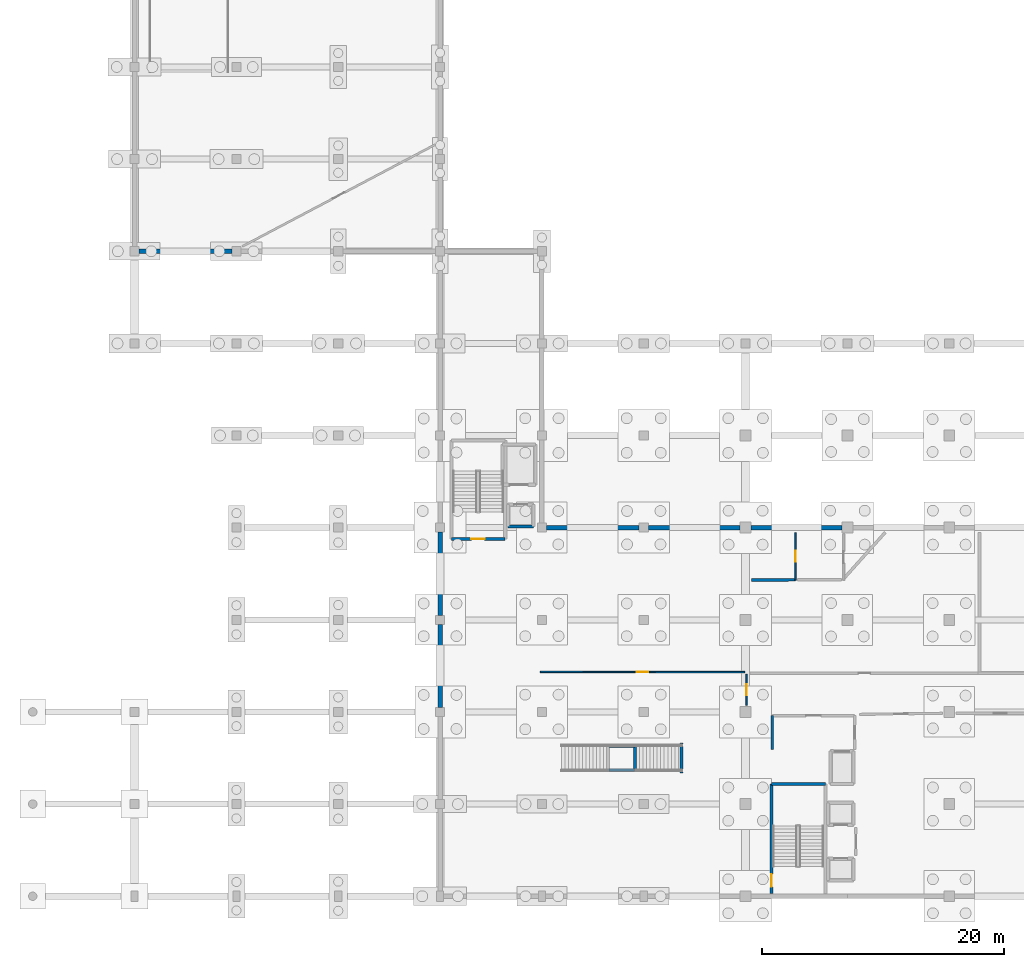
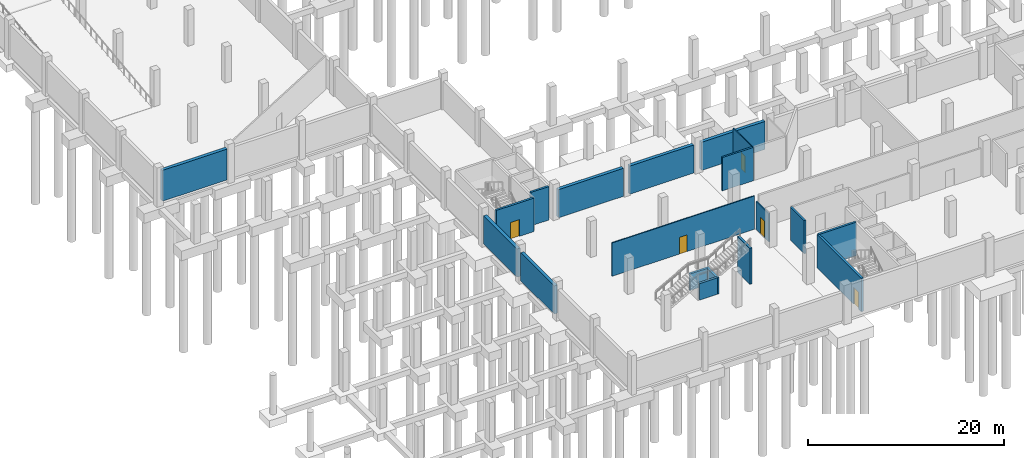
# One storey, part 12 of 22: 19 walls, 5 doors, 5 openings.
"""IFC4 building model written with IfcOpenShell, lengths in metres."""

import ifcopenshell
import ifcopenshell.guid

model = None  # the IFC model being written
_history = None  # IfcOwnerHistory: only IFC2X3 demands one
_inside = {}  # id of a spatial element -> (the spatial element, [elements in it])
_under = {}  # id of a project, library or spatial element -> (it, [spatial elements below it])
_declared = {}  # id of a project -> (the project, [libraries it declares])
_typed = {}  # id of a type object -> (the type object, [elements of that type])
_made_of = {}  # id of a material, layer set ... -> (it, [elements and type objects made of it])


def new_model(schema):
    """Start an empty IFC model of exactly this schema.

    Asked for "IFC4X3", IfcOpenShell would pick the latest addendum, in which some entities
    have other attributes; the version numbers below select the first issue.
    IFC2X3 requires an IfcOwnerHistory on every rooted entity: one is made here for all.
    """
    global model, _history
    if schema == "IFC4X3":
        model = ifcopenshell.file(schema_version=(4, 3, 0, 0))
    else:
        model = ifcopenshell.file(schema=schema)
    _inside.clear()
    _under.clear()
    _declared.clear()
    _typed.clear()
    _made_of.clear()
    _history = None
    if model.schema == "IFC2X3":
        org = make("IfcOrganization", Name="unknown")
        user = make(
            "IfcPersonAndOrganization",
            ThePerson=make("IfcPerson", FamilyName="unknown"),
            TheOrganization=org,
        )
        app = make(
            "IfcApplication",
            ApplicationDeveloper=org,
            Version="unknown",
            ApplicationFullName="unknown",
            ApplicationIdentifier="unknown",
        )
        _history = make(
            "IfcOwnerHistory",
            OwningUser=user,
            OwningApplication=app,
            ChangeAction="ADDED",
            CreationDate=0,
        )
    return model


def make(cls, **values):
    """One entity of the class cls with the attributes given. An attribute that is None is left unset."""
    return model.create_entity(
        cls, **{name: value for name, value in values.items() if value is not None}
    )


def rooted(cls, **values):
    """An entity with a GlobalId (a new one), such as an element, a storey or a relation."""
    return make(cls, GlobalId=ifcopenshell.guid.new(), OwnerHistory=_history, **values)


def si_unit(unit_type, name, prefix=None):
    """IfcSIUnit, for example si_unit("LENGTHUNIT", "METRE", prefix="MILLI")."""
    return make("IfcSIUnit", UnitType=unit_type, Prefix=prefix, Name=name)


def assignment(units):
    """IfcUnitAssignment: the units of a project."""
    return None if units is None else make("IfcUnitAssignment", Units=units)


def point(xyz):
    """IfcCartesianPoint."""
    return None if xyz is None else make("IfcCartesianPoint", Coordinates=xyz)


def direction(xyz):
    """IfcDirection."""
    return None if xyz is None else make("IfcDirection", DirectionRatios=xyz)


def frame(location, z_axis=None, x_axis=None):
    """IfcAxis2Placement3D, a coordinate frame: its origin and axes. An axis left out is left unset."""
    return make(
        "IfcAxis2Placement3D",
        Location=point(location),
        Axis=direction(z_axis),
        RefDirection=direction(x_axis),
    )


def frame_2d(location, x_axis=None):
    """IfcAxis2Placement2D, a coordinate frame in the plane: its origin and x axis."""
    return make(
        "IfcAxis2Placement2D", Location=point(location), RefDirection=direction(x_axis)
    )


def origin():
    """The frame at (0, 0, 0) with its axes left unset."""
    return frame((0.0, 0.0, 0.0))


def place(relative_to, where):
    """IfcLocalPlacement: puts the frame where relative to a parent placement (None: the world)."""
    return make(
        "IfcLocalPlacement", PlacementRelTo=relative_to, RelativePlacement=where
    )


def context(
    kind, dimensions, precision=None, world=None, true_north=None, identifier=None
):
    """IfcGeometricRepresentationContext, for example the 3D "Model" context."""
    return make(
        "IfcGeometricRepresentationContext",
        ContextIdentifier=identifier,
        ContextType=kind,
        CoordinateSpaceDimension=dimensions,
        Precision=precision,
        WorldCoordinateSystem=world,
        TrueNorth=true_north,
    )


def subcontext(parent, identifier, kind, view, scale=None):
    """IfcGeometricRepresentationSubContext, for example "Body" below "Model"."""
    return make(
        "IfcGeometricRepresentationSubContext",
        ContextIdentifier=identifier,
        ContextType=kind,
        ParentContext=parent,
        TargetScale=scale,
        TargetView=view,
    )


def project(units=None, contexts=None):
    """IfcProject with its units and contexts."""
    return rooted(
        "IfcProject",
        Name="project",
        RepresentationContexts=contexts,
        UnitsInContext=assignment(units),
    )


def spatial(cls, under=None, at=None, **own):
    """A site, building, storey or space (cls), placed at a placement, below another one or the project."""
    s = rooted(cls, ObjectPlacement=at, **own)
    if under is not None:
        _under.setdefault(under.id(), (under, []))[1].append(s)
    return s


def profile(cls, at=None, kind="AREA", **sizes):
    """A parametric profile (cls). Its sizes go by their IFC names, for example OverallWidth=200.0."""
    return make(cls, ProfileType=kind, Position=at, **sizes)


def rectangle(**sizes):
    """IfcRectangleProfileDef."""
    return profile("IfcRectangleProfileDef", **sizes)


def extrude(swept, where, along, depth):
    """IfcExtrudedAreaSolid: the profile swept, set in the frame where, extruded along a direction by depth."""
    return make(
        "IfcExtrudedAreaSolid",
        SweptArea=swept,
        Position=where,
        ExtrudedDirection=direction(along),
        Depth=depth,
    )


def shape(context_of_items, identifier, shape_type, items):
    """IfcShapeRepresentation: the items that make up one representation, for example the "Body"."""
    return make(
        "IfcShapeRepresentation",
        ContextOfItems=context_of_items,
        RepresentationIdentifier=identifier,
        RepresentationType=shape_type,
        Items=items,
    )


def material(Name=None, Category=None):
    """IfcMaterial."""
    return make("IfcMaterial", Name=Name, Category=Category)


def layer(
    of_material, thickness, ventilated=None, Name=None, Category=None, Priority=None
):
    """IfcMaterialLayer: one layer of a wall or slab, of a material (None: an air gap)."""
    return make(
        "IfcMaterialLayer",
        Material=of_material,
        LayerThickness=thickness,
        IsVentilated=ventilated,
        Name=Name,
        Category=Category,
        Priority=Priority,
    )


def layer_set(layers, Name=None):
    """IfcMaterialLayerSet."""
    return make("IfcMaterialLayerSet", MaterialLayers=layers, LayerSetName=Name)


def made_of(thing, what):
    """Note that an element or type object is made of a material, layer set ...; save() writes the relation."""
    if what is not None:
        _made_of.setdefault(what.id(), (what, []))[1].append(thing)
    return thing


def type_object(cls, material=None, **own):
    """A type object (cls), such as IfcWallType, which elements share."""
    return made_of(rooted(cls, **own), material)


def element(
    cls,
    number,
    at=None,
    inside=None,
    cuts=None,
    type_object=None,
    material=None,
    context=None,
    identifier="Body",
    shape_type=None,
    held_by="IfcProductDefinitionShape",
    body=None,
    shapes=None,
    **own,
):
    """One element of the class cls, such as IfcWall. Its Tag is "e" and its number.

    at: its placement. inside: the storey or other place that contains it. cuts: it is an
    opening in that element (IfcRelVoidsElement). A single representation is given by context,
    identifier, shape_type and body (its items); several are given by shapes. held_by: the class
    of the entity that holds the representations. save() writes the other relations.
    """
    e = rooted(cls, Tag="e%d" % number, ObjectPlacement=at, **own)
    if body is not None:
        shapes = [shape(context, identifier, shape_type, body)]
    if shapes is not None:
        e.Representation = make(held_by, Representations=shapes)
    if inside is not None:
        _inside.setdefault(inside.id(), (inside, []))[1].append(e)
    if cuts is not None:
        rooted(
            "IfcRelVoidsElement", RelatingBuildingElement=cuts, RelatedOpeningElement=e
        )
    if type_object is not None:
        _typed.setdefault(type_object.id(), (type_object, []))[1].append(e)
    return made_of(e, material)


def fill(opening, filler):
    """IfcRelFillsElement: the door or window that sits in an opening."""
    return rooted(
        "IfcRelFillsElement",
        RelatingOpeningElement=opening,
        RelatedBuildingElement=filler,
    )


def aggregate(whole, parts):
    """IfcRelAggregates: a whole, such as a stair, and the parts it consists of."""
    return rooted("IfcRelAggregates", RelatingObject=whole, RelatedObjects=parts)


def save(model, path):
    """Write the relations noted so far, then the file.

    IfcRelAggregates (storeys below a building ...), IfcRelContainedInSpatialStructure (elements
    in a storey), IfcRelDefinesByType, IfcRelAssociatesMaterial and IfcRelDeclares: one each for
    every whole, place, type object, material and project.
    """
    for whole, parts in _under.values():
        aggregate(whole, parts)
    for where, things in _inside.values():
        rooted(
            "IfcRelContainedInSpatialStructure",
            RelatedElements=things,
            RelatingStructure=where,
        )
    for kind, things in _typed.values():
        rooted("IfcRelDefinesByType", RelatedObjects=things, RelatingType=kind)
    for what, things in _made_of.values():
        rooted("IfcRelAssociatesMaterial", RelatedObjects=things, RelatingMaterial=what)
    for by, libraries in _declared.values():
        rooted("IfcRelDeclares", RelatingContext=by, RelatedDefinitions=libraries)
    model.write(path)


model = new_model("IFC4")

# Units and contexts
model_context = context("Model", 3, precision=1e-05, world=origin(), true_north=direction((0.0, 1.0)))
body_context = subcontext(model_context, "Body", "Model", "MODEL_VIEW")
ifc_project = project(units=[si_unit("LENGTHUNIT", "METRE"), si_unit("AREAUNIT", "SQUARE_METRE"), si_unit("VOLUMEUNIT", "CUBIC_METRE"), si_unit("PLANEANGLEUNIT", "RADIAN"), si_unit("MASSUNIT", "GRAM", prefix="KILO")], contexts=[model_context])

# Site, building, storey
site_placement = place(None, origin())
site = spatial("IfcSite", under=ifc_project, at=site_placement, CompositionType="ELEMENT")
building_placement = place(site_placement, origin())
building = spatial("IfcBuilding", under=site, at=building_placement, Name="Zuvorla Pavilion Media Centre", CompositionType="ELEMENT")
storey_placement = place(building_placement, frame((0.0, 0.0, -4.5)))
storey = spatial("IfcBuildingStorey", under=building, at=storey_placement, Name="B01", CompositionType="ELEMENT", Elevation=-4.5)

# Walls
ifc_material_1 = material(Name="Acoustic masonry blockwork C32/40", Category="masonry")
ifc_layer_1 = layer(ifc_material_1, 0.219970703125)
ifc_layer_set_1 = layer_set([ifc_layer_1], Name="Acoustic masonry blockwork C32/40")
wall_type_1 = type_object("IfcWallType", Name="WL-CMP-220", PredefinedType="SOLIDWALL", material=ifc_layer_set_1)
wall_1_placement = place(storey_placement, frame((69.0, 18.10009765625, 0.0), z_axis=(0.0, 0.0, 1.0), x_axis=(0.0, 1.0, 0.0)))
element("IfcWall", 1, at=wall_1_placement, inside=storey, type_object=wall_type_1, Name="B01 solid wall IW22 9", PredefinedType="SOLIDWALL", context=body_context, shape_type="SweptSolid", body=[
    extrude(rectangle(XDim=2.7998046875, YDim=0.219970703125, at=frame_2d((1.39990234375, 0.0))), origin(), (0.0, 0.0, 1.0), 4.159912109375),
])
wall_2_placement = place(storey_placement, frame((70.919921875, 32.09130859375, 0.0), z_axis=(0.0, 0.0, 1.0), x_axis=(-0.999999943764, -0.00033536788, 0.0)))
element("IfcWall", 2, at=wall_2_placement, inside=storey, type_object=wall_type_1, Name="B01 solid wall IW22 379", PredefinedType="SOLIDWALL", context=body_context, shape_type="SweptSolid", body=[
    extrude(rectangle(XDim=3.639892578125, YDim=0.219970703125, at=frame_2d((1.81982421875, 0.0))), origin(), (0.0, 0.0, 1.0), 4.159912109375),
])

# Wall, opening, door
ifc_material_2 = material(Name="Concrete C40/50", Category="concrete")
ifc_layer_2 = layer(ifc_material_2, 0.25)
ifc_layer_set_2 = layer_set([ifc_layer_2], Name="Concrete C40/50")
wall_type_2 = type_object("IfcWallType", Name="WL-COR-250", PredefinedType="SHEAR", material=ifc_layer_set_2)
wall_3_placement = place(storey_placement, frame((68.925048828125, 6.22509765625, 0.0), z_axis=(0.0, 0.0, 1.0), x_axis=(0.0, 1.0, 0.0)))
wall_3 = element("IfcWall", 3, at=wall_3_placement, inside=storey, type_object=wall_type_2, Name="B01 shear wall CW25 5", PredefinedType="SHEAR", context=body_context, shape_type="SweptSolid", body=[
    extrude(rectangle(XDim=9.0498046875, YDim=0.25, at=frame_2d((4.52490234375, 0.0))), origin(), (0.0, 0.0, 1.0), 4.179931640625),
])
opening_1_placement = place(wall_3_placement, frame((0.550048828125, 0.0, 0.0)))
opening_1 = element("IfcOpeningElement", 4, at=opening_1_placement, cuts=wall_3, Name="Opening FD04", PredefinedType="OPENING", context=body_context, shape_type="SweptSolid", body=[
    extrude(rectangle(XDim=1.050048828125, YDim=2.10009765625, at=frame_2d((0.52490234375, 1.050048828125))), frame((0.0, 0.135009765625, 0.0), z_axis=(0.0, -1.0, 0.0), x_axis=(1.0, 0.0, 0.0)), (0.0, 0.0, 1.0), 0.27001953125),
])
ifc_material_3 = material(Name="Acoustic timber fire door leaf in steel frame", Category="steel")
door_type_1 = type_object("IfcDoorType", Name="DR-INT-FD04", OperationType="NOTDEFINED", PredefinedType="DOOR", material=ifc_material_3)
door_1_placement = place(opening_1_placement, origin())
door_1 = element("IfcDoor", 5, at=door_1_placement, inside=storey, type_object=door_type_1, Name="Stair ST-01 fire door FD04 1", OperationType="SINGLE_SWING_LEFT", OverallHeight=2.10009765625, OverallWidth=1.050048828125, PredefinedType="DOOR", context=body_context, shape_type="SweptSolid", body=[
    extrude(rectangle(XDim=1.050048828125, YDim=2.10009765625, at=frame_2d((0.52490234375, 1.050048828125))), frame((0.0, 0.02490234375, 0.0), z_axis=(0.0, -1.0, 0.0), x_axis=(1.0, 0.0, 0.0)), (0.0, 0.0, 1.0), 0.050048828125),
])
fill(opening_1, door_1)

# Wall
wall_4_placement = place(storey_placement, frame((68.925048828125, 15.27490234375, 0.0), z_axis=(0.0, 0.0, 1.0), x_axis=(1.0, 0.0, 0.0)))
element("IfcWall", 6, at=wall_4_placement, inside=storey, type_object=wall_type_2, Name="B01 shear wall CW25 7", PredefinedType="SHEAR", context=body_context, shape_type="SweptSolid", body=[
    extrude(rectangle(XDim=4.449951171875, YDim=0.25, at=frame_2d((2.22509765625, 0.0))), origin(), (0.0, 0.0, 1.0), 4.179931640625),
])

# Wall, opening, door
wall_5_placement = place(storey_placement, frame((42.52490234375, 35.47509765625, 0.0), z_axis=(0.0, 0.0, 1.0), x_axis=(1.0, 0.0, 0.0)))
wall_5 = element("IfcWall", 7, at=wall_5_placement, inside=storey, type_object=wall_type_2, Name="B01 shear wall CW25 240", PredefinedType="SHEAR", context=body_context, shape_type="SweptSolid", body=[
    extrude(rectangle(XDim=4.4501953125, YDim=0.25, at=frame_2d((2.22509765625, 0.0))), origin(), (0.0, 0.0, 1.0), 4.179931640625),
])
opening_2_placement = place(wall_5_placement, frame((1.64990234375, 0.0, 0.0)))
opening_2 = element("IfcOpeningElement", 8, at=opening_2_placement, cuts=wall_5, Name="Opening FD05", PredefinedType="OPENING", context=body_context, shape_type="SweptSolid", body=[
    extrude(rectangle(XDim=1.10009765625, YDim=2.10009765625, at=frame_2d((0.550048828125, 1.050048828125))), frame((0.0, 0.135009765625, 0.0), z_axis=(0.0, -1.0, 0.0), x_axis=(1.0, 0.0, 0.0)), (0.0, 0.0, 1.0), 0.27001953125),
])
door_type_2 = type_object("IfcDoorType", Name="DR-INT-FD05", OperationType="NOTDEFINED", PredefinedType="DOOR", material=ifc_material_3)
door_2_placement = place(opening_2_placement, frame((1.10009765625, 0.0, 0.0), z_axis=(0.0, 0.0, 1.0), x_axis=(-1.0, 0.0, 0.0)))
door_2 = element("IfcDoor", 9, at=door_2_placement, inside=storey, type_object=door_type_2, Name="Stair ST-03 fire door FD05 89", OperationType="SINGLE_SWING_RIGHT", OverallHeight=2.10009765625, OverallWidth=1.10009765625, PredefinedType="DOOR", context=body_context, shape_type="SweptSolid", body=[
    extrude(rectangle(XDim=1.10009765625, YDim=2.10009765625, at=frame_2d((0.550048828125, 1.050048828125))), frame((0.0, 0.02490234375, 0.0), z_axis=(0.0, -1.0, 0.0), x_axis=(1.0, 0.0, 0.0)), (0.0, 0.0, 1.0), 0.050048828125),
])
fill(opening_2, door_2)

# Walls
wall_6_placement = place(storey_placement, frame((47.18994140625, 36.489990234375, 0.0), z_axis=(0.0, 0.0, 1.0), x_axis=(1.0, 0.0, 0.0)))
element("IfcWall", 10, at=wall_6_placement, inside=storey, type_object=wall_type_2, Name="B01 shear wall CW25 261", PredefinedType="SHEAR", context=body_context, shape_type="SweptSolid", body=[
    extrude(rectangle(XDim=2.1201171875, YDim=0.25, at=frame_2d((1.06005859375, 0.0))), origin(), (0.0, 0.0, 1.0), 4.179931640625),
])
wall_7_placement = place(storey_placement, frame((57.68994140625, 16.300048828125, 0.0), z_axis=(0.0, 0.0, 1.0), x_axis=(0.0, 1.0, 0.0)))
element("IfcWall", 11, at=wall_7_placement, inside=storey, type_object=wall_type_2, Name="B01 shear wall CW25 349", PredefinedType="SHEAR", context=body_context, shape_type="SweptSolid", body=[
    extrude(rectangle(XDim=2.199951171875, YDim=0.25, at=frame_2d((1.10009765625, 0.0))), origin(), (0.0, 0.0, 1.0), 2.06005859375),
])
for number, where, z_axis, x_axis, name in (
    (12, (55.52001953125, 16.419921875, 0.0), (0.0, 0.0, 1.0), (1.0, 0.0, 0.0), "B01 shear wall CW25 350"),
    (13, (55.52001953125, 18.3798828125, 0.0), (0.0, 0.0, 1.0), (1.0, 0.0, 0.0), "B01 shear wall CW25 351"),
):
    element("IfcWall", number, at=place(storey_placement, frame(where, z_axis=z_axis, x_axis=x_axis)), inside=storey, type_object=wall_type_2, Name=name, PredefinedType="SHEAR", context=body_context, shape_type="SweptSolid", body=[
        extrude(rectangle(XDim=2.10009765625, YDim=0.25, at=frame_2d((1.050048828125, 0.0))), origin(), (0.0, 0.0, 1.0), 2.06005859375),
    ])
wall_8_placement = place(storey_placement, frame((61.5, 16.14990234375, 0.0), z_axis=(0.0, 0.0, 1.0), x_axis=(0.0, 1.0, 0.0)))
element("IfcWall", 14, at=wall_8_placement, inside=storey, type_object=wall_type_2, Name="B01 shear wall CW25 352", PredefinedType="SHEAR", context=body_context, shape_type="SweptSolid", body=[
    extrude(rectangle(XDim=2.5, YDim=0.25, at=frame_2d((1.25, 0.0))), origin(), (0.0, 0.0, 1.0), 4.498046875),
])
ifc_material_4 = material(Name="Dark charcoal terracotta concrete C40/50", Category="masonry")
ifc_layer_3 = layer(ifc_material_4, 0.3798828125)
ifc_layer_set_3 = layer_set([ifc_layer_3], Name="Dark charcoal terracotta concrete C40/50")
wall_type_3 = type_object("IfcWallType", Name="WL-EXT-380", PredefinedType="SOLIDWALL", material=ifc_layer_set_3)
wall_9_placement = place(storey_placement, frame((74.75, 36.39990234375, 0.0), z_axis=(0.0, 0.0, 1.0), x_axis=(-1.0, 0.0, 0.0)))
element("IfcWall", 15, at=wall_9_placement, inside=storey, type_object=wall_type_3, Name="B01 exterior solid wall EW01 17", PredefinedType="SOLIDWALL", context=body_context, shape_type="SweptSolid", body=[
    extrude(rectangle(XDim=7.5, YDim=0.3798828125, at=frame_2d((3.75, 0.0))), origin(), (0.0, 0.0, 1.0), 3.51025390625),
])
wall_10_placement = place(storey_placement, frame((66.35009765625, 36.39990234375, 0.0), z_axis=(0.0, 0.0, 1.0), x_axis=(-1.0, 0.0, 0.0)))
element("IfcWall", 16, at=wall_10_placement, inside=storey, type_object=wall_type_3, Name="B01 exterior solid wall EW01 18", PredefinedType="SOLIDWALL", context=body_context, shape_type="SweptSolid", body=[
    extrude(rectangle(XDim=7.5751953125, YDim=0.3798828125, at=frame_2d((3.78759765625, 0.0))), origin(), (0.0, 0.0, 1.0), 3.51025390625),
])
wall_11_placement = place(storey_placement, frame((58.02490234375, 36.39990234375, 0.0), z_axis=(0.0, 0.0, 1.0), x_axis=(-1.0, 0.0, 0.0)))
element("IfcWall", 17, at=wall_11_placement, inside=storey, type_object=wall_type_3, Name="B01 exterior solid wall EW01 19", PredefinedType="SOLIDWALL", context=body_context, shape_type="SweptSolid", body=[
    extrude(rectangle(XDim=7.64990234375, YDim=0.3798828125, at=frame_2d((3.824951171875, 0.0))), origin(), (0.0, 0.0, 1.0), 3.51025390625),
])
wall_12_placement = place(storey_placement, frame((16.77490234375, 59.199951171875, 0.0), z_axis=(0.0, 0.0, 1.0), x_axis=(1.0, 0.0, 0.0)))
element("IfcWall", 18, at=wall_12_placement, inside=storey, type_object=wall_type_3, Name="B01 exterior solid wall EW01 41", PredefinedType="SOLIDWALL", context=body_context, shape_type="SweptSolid", body=[
    extrude(rectangle(XDim=7.650146484375, YDim=0.3798828125, at=frame_2d((3.8251953125, 0.0))), origin(), (0.0, 0.0, 1.0), 3.846923828125),
])
wall_13_placement = place(storey_placement, frame((41.60009765625, 36.02490234375, 0.0), z_axis=(0.0, 0.0, 1.0), x_axis=(0.0, -1.0, 0.0)))
element("IfcWall", 19, at=wall_13_placement, inside=storey, type_object=wall_type_3, Name="B01 exterior solid wall EW01 47", PredefinedType="SOLIDWALL", context=body_context, shape_type="SweptSolid", body=[
    extrude(rectangle(XDim=6.849853515625, YDim=0.3798828125, at=frame_2d((3.4248046875, 0.0))), origin(), (0.0, 0.0, 1.0), 3.51025390625),
])
wall_14_placement = place(storey_placement, frame((41.60009765625, 28.425048828125, 0.0), z_axis=(0.0, 0.0, 1.0), x_axis=(0.0, -1.0, 0.0)))
element("IfcWall", 20, at=wall_14_placement, inside=storey, type_object=wall_type_3, Name="B01 exterior solid wall EW01 48", PredefinedType="SOLIDWALL", context=body_context, shape_type="SweptSolid", body=[
    extrude(rectangle(XDim=6.85009765625, YDim=0.3798828125, at=frame_2d((3.425048828125, 0.0))), origin(), (0.0, 0.0, 1.0), 3.51025390625),
])

# Wall, opening, door
ifc_material_5 = material(Name="Lightweight gypsum partition")
ifc_layer_4 = layer(ifc_material_5, 0.1201171875)
ifc_layer_set_4 = layer_set([ifc_layer_4], Name="Lightweight gypsum partition")
wall_type_4 = type_object("IfcWallType", Name="WL-PRT-120", PredefinedType="PARTITIONING", material=ifc_layer_set_4)
wall_15_placement = place(storey_placement, frame((66.889892578125, 21.739990234375, 0.0), z_axis=(0.0, 0.0, 1.0), x_axis=(-0.000189250564, 0.999999982092, 0.0)))
wall_15 = element("IfcWall", 21, at=wall_15_placement, inside=storey, type_object=wall_type_4, Name="B01 partition PT12 374", PredefinedType="PARTITIONING", context=body_context, shape_type="SweptSolid", body=[
    extrude(rectangle(XDim=2.580078125, YDim=0.1201171875, at=frame_2d((1.2900390625, 0.0))), origin(), (0.0, 0.0, 1.0), 3.51025390625),
])
opening_3_placement = place(wall_15_placement, frame((0.85009765625, 0.0, 0.0)))
opening_3 = element("IfcOpeningElement", 22, at=opening_3_placement, cuts=wall_15, Name="Opening ID01", PredefinedType="OPENING", context=body_context, shape_type="SweptSolid", body=[
    extrude(rectangle(XDim=0.8798828125, YDim=2.080078125, at=frame_2d((0.43994140625, 1.0400390625))), frame((0.0, 0.070068359375, 0.0), z_axis=(0.0, -1.0, 0.0), x_axis=(1.0, 0.0, 0.0)), (0.0, 0.0, 1.0), 0.14013671875),
])
ifc_material_6 = material(Name="Hardwood acoustic studio door in anodised frame", Category="wood")
door_type_3 = type_object("IfcDoorType", Name="DR-UNR-ID01", OperationType="NOTDEFINED", PredefinedType="DOOR", material=ifc_material_6)
door_3_placement = place(opening_3_placement, origin())
door_3 = element("IfcDoor", 23, at=door_3_placement, inside=storey, type_object=door_type_3, Name="Interior door ID01 122", OperationType="SINGLE_SWING_RIGHT", OverallHeight=2.080078125, OverallWidth=0.8798828125, PredefinedType="DOOR", context=body_context, shape_type="SweptSolid", body=[
    extrude(rectangle(XDim=0.8798828125, YDim=2.080078125, at=frame_2d((0.43994140625, 1.0400390625))), frame((0.0, 0.02490234375, 0.0), z_axis=(0.0, -1.0, 0.0), x_axis=(1.0, 0.0, 0.0)), (0.0, 0.0, 1.0), 0.050048828125),
])
fill(opening_3, door_3)

wall_16_placement = place(storey_placement, frame((66.719970703125, 24.489501953125, 0.0), z_axis=(0.0, 0.0, 1.0), x_axis=(-0.999999823344, 0.000594400927, 0.0)))
wall_16 = element("IfcWall", 24, at=wall_16_placement, inside=storey, type_object=wall_type_4, Name="B01 partition PT12 375", PredefinedType="PARTITIONING", context=body_context, shape_type="SweptSolid", body=[
    extrude(rectangle(XDim=16.840087890625, YDim=0.1201171875, at=frame_2d((8.419921875, 0.0))), origin(), (0.0, 0.0, 1.0), 4.159912109375),
])
opening_4_placement = place(wall_16_placement, frame((7.9599609375, 0.0, 0.0)))
opening_4 = element("IfcOpeningElement", 25, at=opening_4_placement, cuts=wall_16, Name="Opening ID02", PredefinedType="OPENING", context=body_context, shape_type="SweptSolid", body=[
    extrude(rectangle(XDim=0.919921875, YDim=2.080078125, at=frame_2d((0.4599609375, 1.0400390625))), frame((0.0, 0.070068359375, 0.0), z_axis=(0.0, -1.0, 0.0), x_axis=(1.0, 0.0, 0.0)), (0.0, 0.0, 1.0), 0.14013671875),
])
door_type_4 = type_object("IfcDoorType", Name="DR-UNR-ID02", OperationType="NOTDEFINED", PredefinedType="DOOR", material=ifc_material_6)
door_4_placement = place(opening_4_placement, origin())
door_4 = element("IfcDoor", 26, at=door_4_placement, inside=storey, type_object=door_type_4, Name="Interior door ID02 123", OperationType="SINGLE_SWING_LEFT", OverallHeight=2.080078125, OverallWidth=0.919921875, PredefinedType="DOOR", context=body_context, shape_type="SweptSolid", body=[
    extrude(rectangle(XDim=0.919921875, YDim=2.080078125, at=frame_2d((0.4599609375, 1.0400390625))), frame((0.0, 0.02490234375, 0.0), z_axis=(0.0, -1.0, 0.0), x_axis=(1.0, 0.0, 0.0)), (0.0, 0.0, 1.0), 0.050048828125),
])
fill(opening_4, door_4)

wall_17_placement = place(storey_placement, frame((70.909912109375, 36.0, 0.0), z_axis=(0.0, 0.0, 1.0), x_axis=(0.0, -1.0, 0.0)))
wall_17 = element("IfcWall", 27, at=wall_17_placement, inside=storey, type_object=wall_type_4, Name="B01 partition PT12 378", PredefinedType="PARTITIONING", context=body_context, shape_type="SweptSolid", body=[
    extrude(rectangle(XDim=3.919921875, YDim=0.1201171875, at=frame_2d((1.9599609375, 0.0))), origin(), (0.0, 0.0, 1.0), 4.159912109375),
])
opening_5_placement = place(wall_17_placement, frame((1.52001953125, 0.0, 0.0)))
opening_5 = element("IfcOpeningElement", 28, at=opening_5_placement, cuts=wall_17, Name="Opening ID01", PredefinedType="OPENING", context=body_context, shape_type="SweptSolid", body=[
    extrude(rectangle(XDim=0.8798828125, YDim=2.080078125, at=frame_2d((0.43994140625, 1.0400390625))), frame((0.0, 0.070068359375, 0.0), z_axis=(0.0, -1.0, 0.0), x_axis=(1.0, 0.0, 0.0)), (0.0, 0.0, 1.0), 0.14013671875),
])
door_5_placement = place(opening_5_placement, origin())
door_5 = element("IfcDoor", 29, at=door_5_placement, inside=storey, type_object=door_type_3, Name="Interior door ID01 125", OperationType="SINGLE_SWING_LEFT", OverallHeight=2.080078125, OverallWidth=0.8798828125, PredefinedType="DOOR", context=body_context, shape_type="SweptSolid", body=[
    extrude(rectangle(XDim=0.8798828125, YDim=2.080078125, at=frame_2d((0.43994140625, 1.0400390625))), frame((0.0, 0.02490234375, 0.0), z_axis=(0.0, -1.0, 0.0), x_axis=(1.0, 0.0, 0.0)), (0.0, 0.0, 1.0), 0.050048828125),
])
fill(opening_5, door_5)

save(model, "model.ifc")
